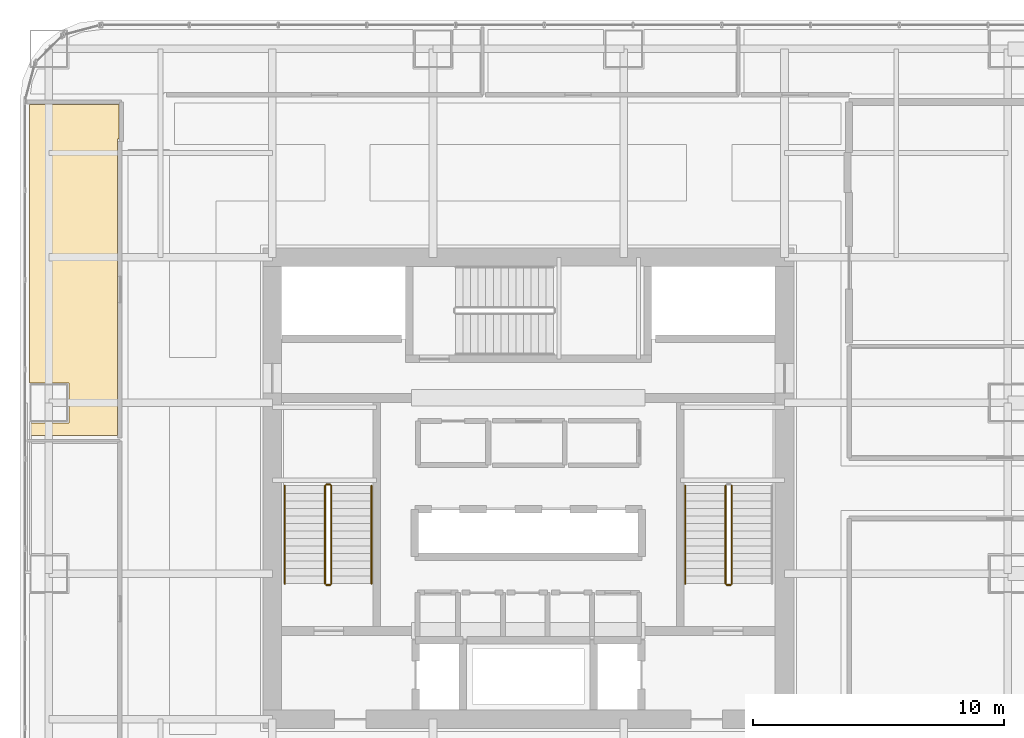
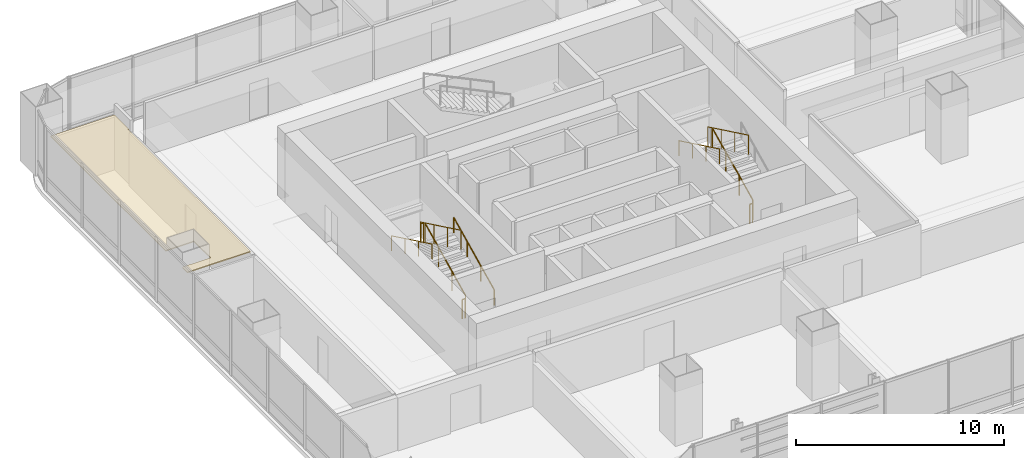
# One storey, part 32 of 34: 10 railings, 1 covering.
"""IFC4 building model written with IfcOpenShell, lengths in metres."""

import ifcopenshell
import ifcopenshell.guid

model = None  # the IFC model being written
_history = None  # IfcOwnerHistory: only IFC2X3 demands one
_inside = {}  # id of a spatial element -> (the spatial element, [elements in it])
_under = {}  # id of a project, library or spatial element -> (it, [spatial elements below it])
_declared = {}  # id of a project -> (the project, [libraries it declares])
_typed = {}  # id of a type object -> (the type object, [elements of that type])
_made_of = {}  # id of a material, layer set ... -> (it, [elements and type objects made of it])


def new_model(schema):
    """Start an empty IFC model of exactly this schema.

    Asked for "IFC4X3", IfcOpenShell would pick the latest addendum, in which some entities
    have other attributes; the version numbers below select the first issue.
    IFC2X3 requires an IfcOwnerHistory on every rooted entity: one is made here for all.
    """
    global model, _history
    if schema == "IFC4X3":
        model = ifcopenshell.file(schema_version=(4, 3, 0, 0))
    else:
        model = ifcopenshell.file(schema=schema)
    _inside.clear()
    _under.clear()
    _declared.clear()
    _typed.clear()
    _made_of.clear()
    _history = None
    if model.schema == "IFC2X3":
        org = make("IfcOrganization", Name="unknown")
        user = make(
            "IfcPersonAndOrganization",
            ThePerson=make("IfcPerson", FamilyName="unknown"),
            TheOrganization=org,
        )
        app = make(
            "IfcApplication",
            ApplicationDeveloper=org,
            Version="unknown",
            ApplicationFullName="unknown",
            ApplicationIdentifier="unknown",
        )
        _history = make(
            "IfcOwnerHistory",
            OwningUser=user,
            OwningApplication=app,
            ChangeAction="ADDED",
            CreationDate=0,
        )
    return model


def make(cls, **values):
    """One entity of the class cls with the attributes given. An attribute that is None is left unset."""
    return model.create_entity(
        cls, **{name: value for name, value in values.items() if value is not None}
    )


def rooted(cls, **values):
    """An entity with a GlobalId (a new one), such as an element, a storey or a relation."""
    return make(cls, GlobalId=ifcopenshell.guid.new(), OwnerHistory=_history, **values)


def si_unit(unit_type, name, prefix=None):
    """IfcSIUnit, for example si_unit("LENGTHUNIT", "METRE", prefix="MILLI")."""
    return make("IfcSIUnit", UnitType=unit_type, Prefix=prefix, Name=name)


def assignment(units):
    """IfcUnitAssignment: the units of a project."""
    return None if units is None else make("IfcUnitAssignment", Units=units)


def point(xyz):
    """IfcCartesianPoint."""
    return None if xyz is None else make("IfcCartesianPoint", Coordinates=xyz)


def direction(xyz):
    """IfcDirection."""
    return None if xyz is None else make("IfcDirection", DirectionRatios=xyz)


def frame(location, z_axis=None, x_axis=None):
    """IfcAxis2Placement3D, a coordinate frame: its origin and axes. An axis left out is left unset."""
    return make(
        "IfcAxis2Placement3D",
        Location=point(location),
        Axis=direction(z_axis),
        RefDirection=direction(x_axis),
    )


def frame_2d(location, x_axis=None):
    """IfcAxis2Placement2D, a coordinate frame in the plane: its origin and x axis."""
    return make(
        "IfcAxis2Placement2D", Location=point(location), RefDirection=direction(x_axis)
    )


def origin():
    """The frame at (0, 0, 0) with its axes left unset."""
    return frame((0.0, 0.0, 0.0))


def origin_2d():
    """The frame at (0, 0) in the plane with its x axis left unset."""
    return frame_2d((0.0, 0.0))


def place(relative_to, where):
    """IfcLocalPlacement: puts the frame where relative to a parent placement (None: the world)."""
    return make(
        "IfcLocalPlacement", PlacementRelTo=relative_to, RelativePlacement=where
    )


def context(
    kind, dimensions, precision=None, world=None, true_north=None, identifier=None
):
    """IfcGeometricRepresentationContext, for example the 3D "Model" context."""
    return make(
        "IfcGeometricRepresentationContext",
        ContextIdentifier=identifier,
        ContextType=kind,
        CoordinateSpaceDimension=dimensions,
        Precision=precision,
        WorldCoordinateSystem=world,
        TrueNorth=true_north,
    )


def subcontext(parent, identifier, kind, view, scale=None):
    """IfcGeometricRepresentationSubContext, for example "Body" below "Model"."""
    return make(
        "IfcGeometricRepresentationSubContext",
        ContextIdentifier=identifier,
        ContextType=kind,
        ParentContext=parent,
        TargetScale=scale,
        TargetView=view,
    )


def project(units=None, contexts=None):
    """IfcProject with its units and contexts."""
    return rooted(
        "IfcProject",
        Name="project",
        RepresentationContexts=contexts,
        UnitsInContext=assignment(units),
    )


def spatial(cls, under=None, at=None, **own):
    """A site, building, storey or space (cls), placed at a placement, below another one or the project."""
    s = rooted(cls, ObjectPlacement=at, **own)
    if under is not None:
        _under.setdefault(under.id(), (under, []))[1].append(s)
    return s


def polyline(points):
    """IfcPolyline through the points."""
    return make("IfcPolyline", Points=[point(p) for p in points])


def profile(cls, at=None, kind="AREA", **sizes):
    """A parametric profile (cls). Its sizes go by their IFC names, for example OverallWidth=200.0."""
    return make(cls, ProfileType=kind, Position=at, **sizes)


def circle(**sizes):
    """IfcCircleProfileDef."""
    return profile("IfcCircleProfileDef", **sizes)


def outline(outer, holes=None, kind="AREA"):
    """IfcArbitraryClosedProfileDef: a profile drawn as a closed curve; with holes, ...WithVoids."""
    if holes is None:
        return make("IfcArbitraryClosedProfileDef", ProfileType=kind, OuterCurve=outer)
    return make(
        "IfcArbitraryProfileDefWithVoids",
        ProfileType=kind,
        OuterCurve=outer,
        InnerCurves=holes,
    )


def extrude(swept, where, along, depth):
    """IfcExtrudedAreaSolid: the profile swept, set in the frame where, extruded along a direction by depth."""
    return make(
        "IfcExtrudedAreaSolid",
        SweptArea=swept,
        Position=where,
        ExtrudedDirection=direction(along),
        Depth=depth,
    )


def shape(context_of_items, identifier, shape_type, items):
    """IfcShapeRepresentation: the items that make up one representation, for example the "Body"."""
    return make(
        "IfcShapeRepresentation",
        ContextOfItems=context_of_items,
        RepresentationIdentifier=identifier,
        RepresentationType=shape_type,
        Items=items,
    )


def material(Name=None, Category=None):
    """IfcMaterial."""
    return make("IfcMaterial", Name=Name, Category=Category)


def layer(
    of_material, thickness, ventilated=None, Name=None, Category=None, Priority=None
):
    """IfcMaterialLayer: one layer of a wall or slab, of a material (None: an air gap)."""
    return make(
        "IfcMaterialLayer",
        Material=of_material,
        LayerThickness=thickness,
        IsVentilated=ventilated,
        Name=Name,
        Category=Category,
        Priority=Priority,
    )


def layer_set(layers, Name=None):
    """IfcMaterialLayerSet."""
    return make("IfcMaterialLayerSet", MaterialLayers=layers, LayerSetName=Name)


def made_of(thing, what):
    """Note that an element or type object is made of a material, layer set ...; save() writes the relation."""
    if what is not None:
        _made_of.setdefault(what.id(), (what, []))[1].append(thing)
    return thing


def type_object(cls, material=None, **own):
    """A type object (cls), such as IfcWallType, which elements share."""
    return made_of(rooted(cls, **own), material)


def element(
    cls,
    number,
    at=None,
    inside=None,
    cuts=None,
    type_object=None,
    material=None,
    context=None,
    identifier="Body",
    shape_type=None,
    held_by="IfcProductDefinitionShape",
    body=None,
    shapes=None,
    **own,
):
    """One element of the class cls, such as IfcWall. Its Tag is "e" and its number.

    at: its placement. inside: the storey or other place that contains it. cuts: it is an
    opening in that element (IfcRelVoidsElement). A single representation is given by context,
    identifier, shape_type and body (its items); several are given by shapes. held_by: the class
    of the entity that holds the representations. save() writes the other relations.
    """
    e = rooted(cls, Tag="e%d" % number, ObjectPlacement=at, **own)
    if body is not None:
        shapes = [shape(context, identifier, shape_type, body)]
    if shapes is not None:
        e.Representation = make(held_by, Representations=shapes)
    if inside is not None:
        _inside.setdefault(inside.id(), (inside, []))[1].append(e)
    if cuts is not None:
        rooted(
            "IfcRelVoidsElement", RelatingBuildingElement=cuts, RelatedOpeningElement=e
        )
    if type_object is not None:
        _typed.setdefault(type_object.id(), (type_object, []))[1].append(e)
    return made_of(e, material)


def aggregate(whole, parts):
    """IfcRelAggregates: a whole, such as a stair, and the parts it consists of."""
    return rooted("IfcRelAggregates", RelatingObject=whole, RelatedObjects=parts)


def save(model, path):
    """Write the relations noted so far, then the file.

    IfcRelAggregates (storeys below a building ...), IfcRelContainedInSpatialStructure (elements
    in a storey), IfcRelDefinesByType, IfcRelAssociatesMaterial and IfcRelDeclares: one each for
    every whole, place, type object, material and project.
    """
    for whole, parts in _under.values():
        aggregate(whole, parts)
    for where, things in _inside.values():
        rooted(
            "IfcRelContainedInSpatialStructure",
            RelatedElements=things,
            RelatingStructure=where,
        )
    for kind, things in _typed.values():
        rooted("IfcRelDefinesByType", RelatedObjects=things, RelatingType=kind)
    for what, things in _made_of.values():
        rooted("IfcRelAssociatesMaterial", RelatedObjects=things, RelatingMaterial=what)
    for by, libraries in _declared.values():
        rooted("IfcRelDeclares", RelatingContext=by, RelatedDefinitions=libraries)
    model.write(path)


model = new_model("IFC4")

# Units and contexts
model_context = context("Model", 3, precision=1e-05, world=origin(), true_north=direction((0.0, 1.0)))
body_context = subcontext(model_context, "Body", "Model", "MODEL_VIEW")
ifc_project = project(units=[si_unit("LENGTHUNIT", "METRE"), si_unit("AREAUNIT", "SQUARE_METRE"), si_unit("VOLUMEUNIT", "CUBIC_METRE"), si_unit("PLANEANGLEUNIT", "RADIAN"), si_unit("MASSUNIT", "GRAM", prefix="KILO")], contexts=[model_context])

# Site, building, storey
site_placement = place(None, origin())
site = spatial("IfcSite", under=ifc_project, at=site_placement, CompositionType="ELEMENT")
building_placement = place(site_placement, origin())
building = spatial("IfcBuilding", under=site, at=building_placement, Name="Punatoya Terracotta Tower", CompositionType="ELEMENT")
storey_placement = place(building_placement, frame((0.0, 0.0, 80.85009765625)))
storey = spatial("IfcBuildingStorey", under=building, at=storey_placement, Name="L18", CompositionType="ELEMENT", Elevation=80.85009765625)

# Covering
ifc_material_1 = material(Name="Acoustic Mineral Fibre Ceiling")
ifc_layer = layer(ifc_material_1, 0.06005859375)
ifc_layer_set = layer_set([ifc_layer], Name="Acoustic Mineral Fibre Ceiling")
covering_type = type_object("IfcCoveringType", Name="COV-CEIL-60", PredefinedType="CEILING", material=ifc_layer_set)
covering_placement = place(storey_placement, frame((0.0, 0.0, 3.199951171875)))
element("IfcCovering", 1, at=covering_placement, inside=storey, type_object=covering_type, Name="L18 Open-Plan Barista Espresso Pantry Acoustic Ceiling", PredefinedType="CEILING", context=body_context, shape_type="SweptSolid", body=[
    extrude(outline(polyline([(-16.3701171875, 2.110107421875), (-16.3701171875, 13.919921875), (-16.31005859375, 13.919921875), (-16.31005859375, 15.2900390625), (-19.8701171875, 15.2900390625), (-19.8701171875, 4.199951171875), (-18.300048828125, 4.199951171875), (-18.300048828125, 2.60009765625), (-19.8701171875, 2.60009765625), (-19.8701171875, 2.110107421875), (-16.3701171875, 2.110107421875)])), origin(), (0.0, 0.0, 1.0), 0.06005859375),
])

# Railings
ifc_material_2 = material(Name="Steel S355", Category="steel")
railing_type_1 = type_object("IfcRailingType", Name="RLG-GRD-1150", PredefinedType="GUARDRAIL", material=ifc_material_2)
railing_1_placement = place(storey_placement, frame((-7.85009765625, -3.800048828125, 0.14453125)))
element("IfcRailing", 2, at=railing_1_placement, inside=storey, type_object=railing_type_1, Name="L18 ST-1 stair guard 1", PredefinedType="GUARDRAIL", context=body_context, shape_type="SweptSolid", body=[
    extrude(circle(Radius=0.02392578125, at=origin_2d()), frame((0.0, 0.0, 1.1259765625), z_axis=(0.0, 0.900773802044, 0.434288564841), x_axis=(-1.0, 0.0, 0.0)), (0.0, 0.0, 1.0), 4.329833984375),
    extrude(circle(Radius=0.02099609375, at=origin_2d()), origin(), (0.0, 0.0, 1.0), 1.101806640625),
    extrude(circle(Radius=0.02099609375, at=origin_2d()), frame((0.0, 1.300048828125, 0.626708984375)), (0.0, 0.0, 1.0), 1.101806640625),
    extrude(circle(Radius=0.02099609375, at=origin_2d()), frame((0.0, 2.60009765625, 1.253662109375)), (0.0, 0.0, 1.0), 1.101806640625),
    extrude(circle(Radius=0.02099609375, at=origin_2d()), frame((0.0, 3.900146484375, 1.88037109375)), (0.0, 0.0, 1.0), 1.101806640625),
])
railing_2_placement = place(storey_placement, frame((-7.89990234375, 0.14990234375, 2.02490234375)))
element("IfcRailing", 3, at=railing_2_placement, inside=storey, type_object=railing_type_1, Name="L18 ST-1 stair guard 2", PredefinedType="GUARDRAIL", context=body_context, shape_type="SweptSolid", body=[
    extrude(circle(Radius=0.02392578125, at=origin_2d()), frame((0.0, 0.0, 1.1259765625), z_axis=(-1.0, 0.0, 0.0), x_axis=(0.0, -1.0, 0.0)), (0.0, 0.0, 1.0), 0.150146484375),
    extrude(circle(Radius=0.02099609375, at=origin_2d()), origin(), (0.0, 0.0, 1.0), 1.101806640625),
    extrude(circle(Radius=0.02099609375, at=origin_2d()), frame((-0.150146484375, 0.0, 0.0)), (0.0, 0.0, 1.0), 1.101806640625),
])
railing_3_placement = place(storey_placement, frame((-8.10009765625, 0.10009765625, 2.16943359375)))
element("IfcRailing", 4, at=railing_3_placement, inside=storey, type_object=railing_type_1, Name="L18 ST-1 stair guard 3", PredefinedType="GUARDRAIL", context=body_context, shape_type="SweptSolid", body=[
    extrude(circle(Radius=0.02392578125, at=origin_2d()), frame((0.0, 0.0, 1.1259765625), z_axis=(0.0, -0.900773802044, 0.434288564841), x_axis=(1.0, 0.0, 0.0)), (0.0, 0.0, 1.0), 4.329833984375),
    extrude(circle(Radius=0.02099609375, at=origin_2d()), origin(), (0.0, 0.0, 1.0), 1.101806640625),
    extrude(circle(Radius=0.02099609375, at=origin_2d()), frame((0.0, -1.300048828125, 0.626708984375)), (0.0, 0.0, 1.0), 1.101806640625),
    extrude(circle(Radius=0.02099609375, at=origin_2d()), frame((0.0, -2.60009765625, 1.253662109375)), (0.0, 0.0, 1.0), 1.101806640625),
    extrude(circle(Radius=0.02099609375, at=origin_2d()), frame((0.0, -3.900146484375, 1.88037109375)), (0.0, 0.0, 1.0), 1.101806640625),
])
railing_4_placement = place(storey_placement, frame((-7.89990234375, -3.85009765625, 0.0)))
element("IfcRailing", 5, at=railing_4_placement, inside=storey, type_object=railing_type_1, Name="L18 ST-1 stair guard 4", PredefinedType="GUARDRAIL", context=body_context, shape_type="SweptSolid", body=[
    extrude(circle(Radius=0.02392578125, at=origin_2d()), frame((0.0, 0.0, 1.1259765625), z_axis=(-1.0, 0.0, 0.0), x_axis=(0.0, -1.0, 0.0)), (0.0, 0.0, 1.0), 0.150146484375),
    extrude(circle(Radius=0.02099609375, at=origin_2d()), origin(), (0.0, 0.0, 1.0), 1.101806640625),
    extrude(circle(Radius=0.02099609375, at=origin_2d()), frame((-0.150146484375, 0.0, 0.0)), (0.0, 0.0, 1.0), 1.101806640625),
])
railing_5_placement = place(storey_placement, frame((8.10009765625, -3.800048828125, 0.14453125)))
element("IfcRailing", 6, at=railing_5_placement, inside=storey, type_object=railing_type_1, Name="L18 ST-2 stair guard 1", PredefinedType="GUARDRAIL", context=body_context, shape_type="SweptSolid", body=[
    extrude(circle(Radius=0.02392578125, at=origin_2d()), frame((0.0, 0.0, 1.1259765625), z_axis=(0.0, 0.900773802044, 0.434288564841), x_axis=(-1.0, 0.0, 0.0)), (0.0, 0.0, 1.0), 4.329833984375),
    extrude(circle(Radius=0.02099609375, at=origin_2d()), origin(), (0.0, 0.0, 1.0), 1.101806640625),
    extrude(circle(Radius=0.02099609375, at=origin_2d()), frame((0.0, 1.300048828125, 0.626708984375)), (0.0, 0.0, 1.0), 1.101806640625),
    extrude(circle(Radius=0.02099609375, at=origin_2d()), frame((0.0, 2.60009765625, 1.253662109375)), (0.0, 0.0, 1.0), 1.101806640625),
    extrude(circle(Radius=0.02099609375, at=origin_2d()), frame((0.0, 3.900146484375, 1.88037109375)), (0.0, 0.0, 1.0), 1.101806640625),
])
railing_6_placement = place(storey_placement, frame((7.85009765625, 0.10009765625, 2.16943359375)))
element("IfcRailing", 7, at=railing_6_placement, inside=storey, type_object=railing_type_1, Name="L18 ST-2 stair guard 3", PredefinedType="GUARDRAIL", context=body_context, shape_type="SweptSolid", body=[
    extrude(circle(Radius=0.02392578125, at=origin_2d()), frame((0.0, 0.0, 1.1259765625), z_axis=(0.0, -0.900773802044, 0.434288564841), x_axis=(1.0, 0.0, 0.0)), (0.0, 0.0, 1.0), 4.329833984375),
    extrude(circle(Radius=0.02099609375, at=origin_2d()), origin(), (0.0, 0.0, 1.0), 1.101806640625),
    extrude(circle(Radius=0.02099609375, at=origin_2d()), frame((0.0, -1.300048828125, 0.626708984375)), (0.0, 0.0, 1.0), 1.101806640625),
    extrude(circle(Radius=0.02099609375, at=origin_2d()), frame((0.0, -2.60009765625, 1.253662109375)), (0.0, 0.0, 1.0), 1.101806640625),
    extrude(circle(Radius=0.02099609375, at=origin_2d()), frame((0.0, -3.900146484375, 1.88037109375)), (0.0, 0.0, 1.0), 1.101806640625),
])
railing_7_placement = place(storey_placement, frame((8.050048828125, -3.85009765625, 0.0)))
element("IfcRailing", 8, at=railing_7_placement, inside=storey, type_object=railing_type_1, Name="L18 ST-2 stair guard 4", PredefinedType="GUARDRAIL", context=body_context, shape_type="SweptSolid", body=[
    extrude(circle(Radius=0.02392578125, at=origin_2d()), frame((0.0, 0.0, 1.1259765625), z_axis=(-1.0, 0.0, 0.0), x_axis=(0.0, -1.0, 0.0)), (0.0, 0.0, 1.0), 0.150146484375),
    extrude(circle(Radius=0.02099609375, at=origin_2d()), origin(), (0.0, 0.0, 1.0), 1.101806640625),
    extrude(circle(Radius=0.02099609375, at=origin_2d()), frame((-0.150146484375, 0.0, 0.0)), (0.0, 0.0, 1.0), 1.101806640625),
])
railing_type_2 = type_object("IfcRailingType", Name="RLG-HND-900", PredefinedType="HANDRAIL", material=ifc_material_2)
railing_8_placement = place(storey_placement, frame((-6.25, -3.800048828125, 0.14453125)))
element("IfcRailing", 9, at=railing_8_placement, inside=storey, type_object=railing_type_2, Name="L18 ST-1 stair handrail 1", PredefinedType="HANDRAIL", context=body_context, shape_type="SweptSolid", body=[
    extrude(circle(Radius=0.02392578125, at=origin_2d()), frame((0.0, 0.0, 0.8759765625), z_axis=(0.0, 0.900773802044, 0.434288564841), x_axis=(-1.0, 0.0, 0.0)), (0.0, 0.0, 1.0), 4.329833984375),
    extrude(circle(Radius=0.02099609375, at=origin_2d()), origin(), (0.0, 0.0, 1.0), 0.851806640625),
    extrude(circle(Radius=0.02099609375, at=origin_2d()), frame((0.0, 1.300048828125, 0.626708984375)), (0.0, 0.0, 1.0), 0.851806640625),
    extrude(circle(Radius=0.02099609375, at=origin_2d()), frame((0.0, 2.60009765625, 1.253662109375)), (0.0, 0.0, 1.0), 0.851806640625),
    extrude(circle(Radius=0.02099609375, at=origin_2d()), frame((0.0, 3.900146484375, 1.88037109375)), (0.0, 0.0, 1.0), 0.851806640625),
])
for number, where, name in (
    (10, (-9.699951171875, 0.10009765625, 2.16943359375), "L18 ST-1 stair handrail 2"),
    (11, (6.25, 0.10009765625, 2.16943359375), "L18 ST-2 stair handrail 2"),
):
    element("IfcRailing", number, at=place(storey_placement, frame(where)), inside=storey, type_object=railing_type_2, Name=name, PredefinedType="HANDRAIL", context=body_context, shape_type="SweptSolid", body=[
        extrude(circle(Radius=0.02392578125, at=origin_2d()), frame((0.0, 0.0, 0.8759765625), z_axis=(0.0, -0.900773802044, 0.434288564841), x_axis=(1.0, 0.0, 0.0)), (0.0, 0.0, 1.0), 4.329833984375),
        extrude(circle(Radius=0.02099609375, at=origin_2d()), origin(), (0.0, 0.0, 1.0), 0.851806640625),
        extrude(circle(Radius=0.02099609375, at=origin_2d()), frame((0.0, -1.300048828125, 0.626708984375)), (0.0, 0.0, 1.0), 0.851806640625),
        extrude(circle(Radius=0.02099609375, at=origin_2d()), frame((0.0, -2.60009765625, 1.253662109375)), (0.0, 0.0, 1.0), 0.851806640625),
        extrude(circle(Radius=0.02099609375, at=origin_2d()), frame((0.0, -3.900146484375, 1.88037109375)), (0.0, 0.0, 1.0), 0.851806640625),
    ])

save(model, "model.ifc")
